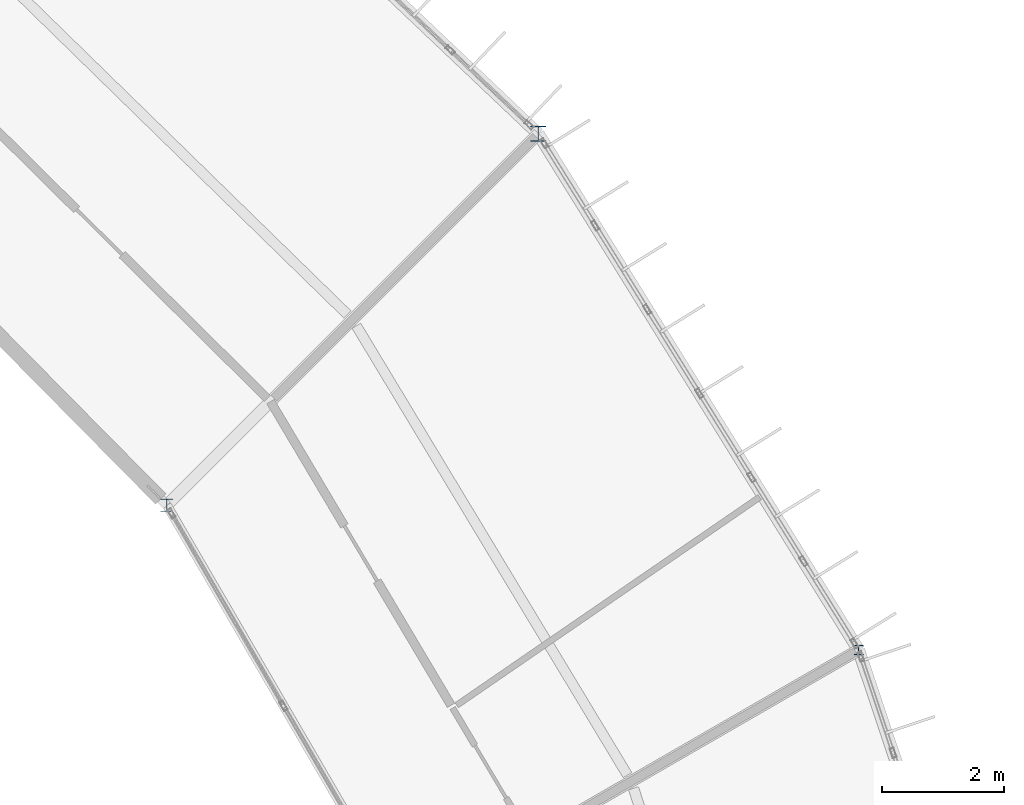
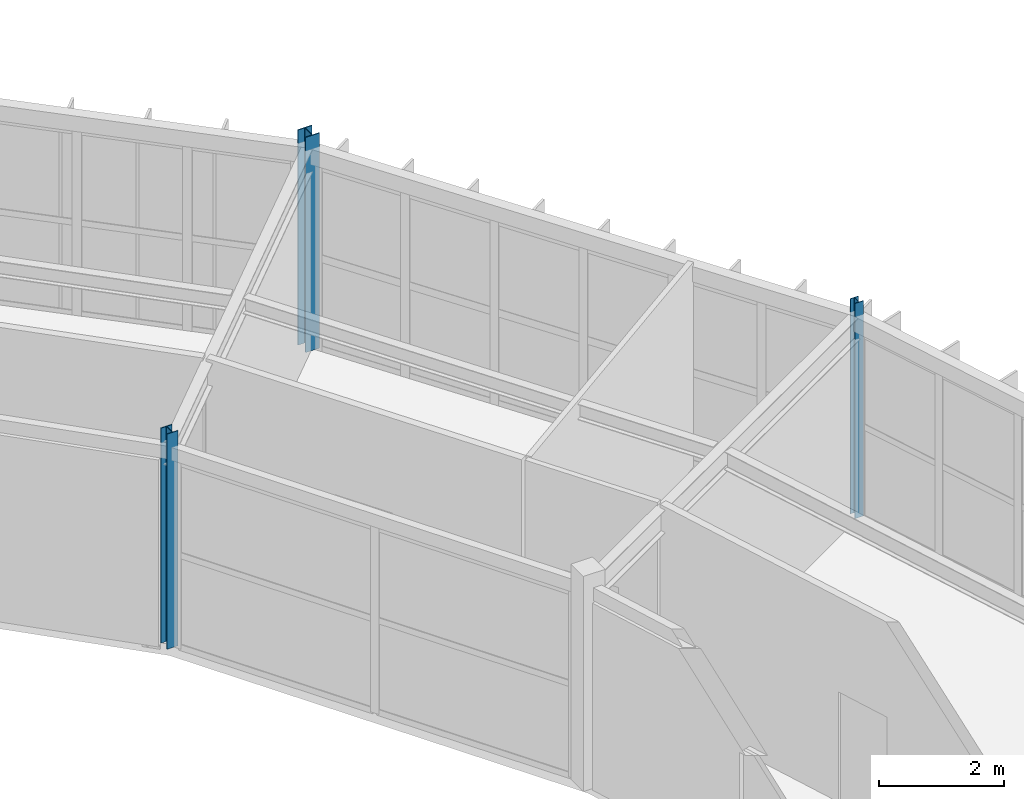
# One storey, part 16 of 130: 3 columns.
"""IFC4 building model written with IfcOpenShell, lengths in metres."""

import ifcopenshell
import ifcopenshell.guid

model = None  # the IFC model being written
_history = None  # IfcOwnerHistory: only IFC2X3 demands one
_inside = {}  # id of a spatial element -> (the spatial element, [elements in it])
_under = {}  # id of a project, library or spatial element -> (it, [spatial elements below it])
_declared = {}  # id of a project -> (the project, [libraries it declares])
_typed = {}  # id of a type object -> (the type object, [elements of that type])
_made_of = {}  # id of a material, layer set ... -> (it, [elements and type objects made of it])


def new_model(schema):
    """Start an empty IFC model of exactly this schema.

    Asked for "IFC4X3", IfcOpenShell would pick the latest addendum, in which some entities
    have other attributes; the version numbers below select the first issue.
    IFC2X3 requires an IfcOwnerHistory on every rooted entity: one is made here for all.
    """
    global model, _history
    if schema == "IFC4X3":
        model = ifcopenshell.file(schema_version=(4, 3, 0, 0))
    else:
        model = ifcopenshell.file(schema=schema)
    _inside.clear()
    _under.clear()
    _declared.clear()
    _typed.clear()
    _made_of.clear()
    _history = None
    if model.schema == "IFC2X3":
        org = make("IfcOrganization", Name="unknown")
        user = make(
            "IfcPersonAndOrganization",
            ThePerson=make("IfcPerson", FamilyName="unknown"),
            TheOrganization=org,
        )
        app = make(
            "IfcApplication",
            ApplicationDeveloper=org,
            Version="unknown",
            ApplicationFullName="unknown",
            ApplicationIdentifier="unknown",
        )
        _history = make(
            "IfcOwnerHistory",
            OwningUser=user,
            OwningApplication=app,
            ChangeAction="ADDED",
            CreationDate=0,
        )
    return model


def make(cls, **values):
    """One entity of the class cls with the attributes given. An attribute that is None is left unset."""
    return model.create_entity(
        cls, **{name: value for name, value in values.items() if value is not None}
    )


def rooted(cls, **values):
    """An entity with a GlobalId (a new one), such as an element, a storey or a relation."""
    return make(cls, GlobalId=ifcopenshell.guid.new(), OwnerHistory=_history, **values)


def si_unit(unit_type, name, prefix=None):
    """IfcSIUnit, for example si_unit("LENGTHUNIT", "METRE", prefix="MILLI")."""
    return make("IfcSIUnit", UnitType=unit_type, Prefix=prefix, Name=name)


def assignment(units):
    """IfcUnitAssignment: the units of a project."""
    return None if units is None else make("IfcUnitAssignment", Units=units)


def point(xyz):
    """IfcCartesianPoint."""
    return None if xyz is None else make("IfcCartesianPoint", Coordinates=xyz)


def direction(xyz):
    """IfcDirection."""
    return None if xyz is None else make("IfcDirection", DirectionRatios=xyz)


def frame(location, z_axis=None, x_axis=None):
    """IfcAxis2Placement3D, a coordinate frame: its origin and axes. An axis left out is left unset."""
    return make(
        "IfcAxis2Placement3D",
        Location=point(location),
        Axis=direction(z_axis),
        RefDirection=direction(x_axis),
    )


def frame_2d(location, x_axis=None):
    """IfcAxis2Placement2D, a coordinate frame in the plane: its origin and x axis."""
    return make(
        "IfcAxis2Placement2D", Location=point(location), RefDirection=direction(x_axis)
    )


def origin():
    """The frame at (0, 0, 0) with its axes left unset."""
    return frame((0.0, 0.0, 0.0))


def origin_2d():
    """The frame at (0, 0) in the plane with its x axis left unset."""
    return frame_2d((0.0, 0.0))


def place(relative_to, where):
    """IfcLocalPlacement: puts the frame where relative to a parent placement (None: the world)."""
    return make(
        "IfcLocalPlacement", PlacementRelTo=relative_to, RelativePlacement=where
    )


def context(
    kind, dimensions, precision=None, world=None, true_north=None, identifier=None
):
    """IfcGeometricRepresentationContext, for example the 3D "Model" context."""
    return make(
        "IfcGeometricRepresentationContext",
        ContextIdentifier=identifier,
        ContextType=kind,
        CoordinateSpaceDimension=dimensions,
        Precision=precision,
        WorldCoordinateSystem=world,
        TrueNorth=true_north,
    )


def subcontext(parent, identifier, kind, view, scale=None):
    """IfcGeometricRepresentationSubContext, for example "Body" below "Model"."""
    return make(
        "IfcGeometricRepresentationSubContext",
        ContextIdentifier=identifier,
        ContextType=kind,
        ParentContext=parent,
        TargetScale=scale,
        TargetView=view,
    )


def project(units=None, contexts=None):
    """IfcProject with its units and contexts."""
    return rooted(
        "IfcProject",
        Name="project",
        RepresentationContexts=contexts,
        UnitsInContext=assignment(units),
    )


def spatial(cls, under=None, at=None, **own):
    """A site, building, storey or space (cls), placed at a placement, below another one or the project."""
    s = rooted(cls, ObjectPlacement=at, **own)
    if under is not None:
        _under.setdefault(under.id(), (under, []))[1].append(s)
    return s


def profile(cls, at=None, kind="AREA", **sizes):
    """A parametric profile (cls). Its sizes go by their IFC names, for example OverallWidth=200.0."""
    return make(cls, ProfileType=kind, Position=at, **sizes)


def i_section(**sizes):
    """IfcIShapeProfileDef."""
    return profile("IfcIShapeProfileDef", **sizes)


def extrude(swept, where, along, depth):
    """IfcExtrudedAreaSolid: the profile swept, set in the frame where, extruded along a direction by depth."""
    return make(
        "IfcExtrudedAreaSolid",
        SweptArea=swept,
        Position=where,
        ExtrudedDirection=direction(along),
        Depth=depth,
    )


def shape(context_of_items, identifier, shape_type, items):
    """IfcShapeRepresentation: the items that make up one representation, for example the "Body"."""
    return make(
        "IfcShapeRepresentation",
        ContextOfItems=context_of_items,
        RepresentationIdentifier=identifier,
        RepresentationType=shape_type,
        Items=items,
    )


def material(Name=None, Category=None):
    """IfcMaterial."""
    return make("IfcMaterial", Name=Name, Category=Category)


def material_profile(
    of_material, cross_section, Name=None, Category=None, Priority=None
):
    """IfcMaterialProfile: a cross section and its material."""
    return make(
        "IfcMaterialProfile",
        Name=Name,
        Material=of_material,
        Profile=cross_section,
        Priority=Priority,
        Category=Category,
    )


def profile_set(profiles, Name=None, composite=None):
    """IfcMaterialProfileSet."""
    return make(
        "IfcMaterialProfileSet",
        Name=Name,
        MaterialProfiles=profiles,
        CompositeProfile=composite,
    )


def made_of(thing, what):
    """Note that an element or type object is made of a material, layer set ...; save() writes the relation."""
    if what is not None:
        _made_of.setdefault(what.id(), (what, []))[1].append(thing)
    return thing


def type_object(cls, material=None, **own):
    """A type object (cls), such as IfcWallType, which elements share."""
    return made_of(rooted(cls, **own), material)


def element(
    cls,
    number,
    at=None,
    inside=None,
    cuts=None,
    type_object=None,
    material=None,
    context=None,
    identifier="Body",
    shape_type=None,
    held_by="IfcProductDefinitionShape",
    body=None,
    shapes=None,
    **own,
):
    """One element of the class cls, such as IfcWall. Its Tag is "e" and its number.

    at: its placement. inside: the storey or other place that contains it. cuts: it is an
    opening in that element (IfcRelVoidsElement). A single representation is given by context,
    identifier, shape_type and body (its items); several are given by shapes. held_by: the class
    of the entity that holds the representations. save() writes the other relations.
    """
    e = rooted(cls, Tag="e%d" % number, ObjectPlacement=at, **own)
    if body is not None:
        shapes = [shape(context, identifier, shape_type, body)]
    if shapes is not None:
        e.Representation = make(held_by, Representations=shapes)
    if inside is not None:
        _inside.setdefault(inside.id(), (inside, []))[1].append(e)
    if cuts is not None:
        rooted(
            "IfcRelVoidsElement", RelatingBuildingElement=cuts, RelatedOpeningElement=e
        )
    if type_object is not None:
        _typed.setdefault(type_object.id(), (type_object, []))[1].append(e)
    return made_of(e, material)


def aggregate(whole, parts):
    """IfcRelAggregates: a whole, such as a stair, and the parts it consists of."""
    return rooted("IfcRelAggregates", RelatingObject=whole, RelatedObjects=parts)


def save(model, path):
    """Write the relations noted so far, then the file.

    IfcRelAggregates (storeys below a building ...), IfcRelContainedInSpatialStructure (elements
    in a storey), IfcRelDefinesByType, IfcRelAssociatesMaterial and IfcRelDeclares: one each for
    every whole, place, type object, material and project.
    """
    for whole, parts in _under.values():
        aggregate(whole, parts)
    for where, things in _inside.values():
        rooted(
            "IfcRelContainedInSpatialStructure",
            RelatedElements=things,
            RelatingStructure=where,
        )
    for kind, things in _typed.values():
        rooted("IfcRelDefinesByType", RelatedObjects=things, RelatingType=kind)
    for what, things in _made_of.values():
        rooted("IfcRelAssociatesMaterial", RelatedObjects=things, RelatingMaterial=what)
    for by, libraries in _declared.values():
        rooted("IfcRelDeclares", RelatingContext=by, RelatedDefinitions=libraries)
    model.write(path)


model = new_model("IFC4")

# Units and contexts
model_context = context("Model", 3, precision=1e-05, world=origin(), true_north=direction((0.0, 1.0)))
body_context = subcontext(model_context, "Body", "Model", "MODEL_VIEW")
ifc_project = project(units=[si_unit("LENGTHUNIT", "METRE"), si_unit("AREAUNIT", "SQUARE_METRE"), si_unit("VOLUMEUNIT", "CUBIC_METRE"), si_unit("PLANEANGLEUNIT", "RADIAN"), si_unit("MASSUNIT", "GRAM", prefix="KILO")], contexts=[model_context])

# Site, building, storey
site_placement = place(None, origin())
site = spatial("IfcSite", under=ifc_project, at=site_placement, CompositionType="ELEMENT")
building_placement = place(site_placement, origin())
building = spatial("IfcBuilding", under=site, at=building_placement, Name="Karori Crest Natural Sciences Institute", CompositionType="ELEMENT")
storey_placement = place(building_placement, frame((0.0, 0.0, 17.5)))
storey = spatial("IfcBuildingStorey", under=building, at=storey_placement, Name="L04", CompositionType="ELEMENT", Elevation=17.5)

# Columns
ifc_material = material(Name="Structural steel AS/NZS 3679.1 Grade 350", Category="steel")
ifc_material_profile_1 = material_profile(ifc_material, i_section(OverallWidth=0.256103515625, OverallDepth=0.260009765625, WebThickness=0.010498046875, FlangeThickness=0.017333984375, FilletRadius=0.013916015625, at=origin_2d()), Name="250UC89.5")
ifc_profile_set_1 = profile_set([ifc_material_profile_1], Name="Structural steel AS/NZS 3679.1 Grade 350")
column_type_1 = type_object("IfcColumnType", Name="CT-06", PredefinedType="COLUMN", material=ifc_profile_set_1)
column_1_placement = place(storey_placement, frame((89.734619140625, 78.75, 0.0), z_axis=(0.0, 0.0, 1.0), x_axis=(1.0, 0.0, 0.0)))
element("IfcColumn", 1, at=column_1_placement, inside=storey, type_object=column_type_1, Name="Column C-0065", PredefinedType="COLUMN", context=body_context, shape_type="SweptSolid", body=[
    extrude(i_section(OverallWidth=0.256103515625, OverallDepth=0.260009765625, WebThickness=0.010498046875, FlangeThickness=0.017333984375, FilletRadius=0.013916015625, at=origin_2d()), origin(), (0.0, 0.0, 1.0), 4.199951171875),
])
ifc_material_profile_2 = material_profile(ifc_material, i_section(OverallWidth=0.205078125, OverallDepth=0.2099609375, WebThickness=0.00927734375, FlangeThickness=0.01416015625, FilletRadius=0.010986328125, at=origin_2d()), Name="200UC59.5")
ifc_profile_set_2 = profile_set([ifc_material_profile_2], Name="Structural steel AS/NZS 3679.1 Grade 350")
column_type_2 = type_object("IfcColumnType", Name="CT-08", PredefinedType="COLUMN", material=ifc_profile_set_2)
column_2_placement = place(storey_placement, frame((83.6533203125, 72.668701171875, 0.0), z_axis=(0.0, 0.0, 1.0), x_axis=(1.0, 0.0, 0.0)))
element("IfcColumn", 2, at=column_2_placement, inside=storey, type_object=column_type_2, Name="Column C-0066", PredefinedType="COLUMN", context=body_context, shape_type="SweptSolid", body=[
    extrude(i_section(OverallWidth=0.205078125, OverallDepth=0.2099609375, WebThickness=0.00927734375, FlangeThickness=0.01416015625, FilletRadius=0.010986328125, at=origin_2d()), origin(), (0.0, 0.0, 1.0), 4.199951171875),
])
ifc_material_profile_3 = material_profile(ifc_material, i_section(OverallWidth=0.154052734375, OverallDepth=0.162109375, WebThickness=0.008056640625, FlangeThickness=0.011474609375, FilletRadius=0.009033203125, at=origin_2d()), Name="150UC37.2")
ifc_profile_set_3 = profile_set([ifc_material_profile_3], Name="Structural steel AS/NZS 3679.1 Grade 350")
column_type_3 = type_object("IfcColumnType", Name="CT-26", PredefinedType="COLUMN", material=ifc_profile_set_3)
column_3_placement = place(storey_placement, frame((94.978759765625, 70.300048828125, 0.0), z_axis=(0.0, 0.0, 1.0), x_axis=(1.0, 0.0, 0.0)))
element("IfcColumn", 3, at=column_3_placement, inside=storey, type_object=column_type_3, Name="Column C-0047", PredefinedType="COLUMN", context=body_context, shape_type="SweptSolid", body=[
    extrude(i_section(OverallWidth=0.154052734375, OverallDepth=0.162109375, WebThickness=0.008056640625, FlangeThickness=0.011474609375, FilletRadius=0.009033203125, at=origin_2d()), origin(), (0.0, 0.0, 1.0), 4.199951171875),
])

save(model, "model.ifc")
